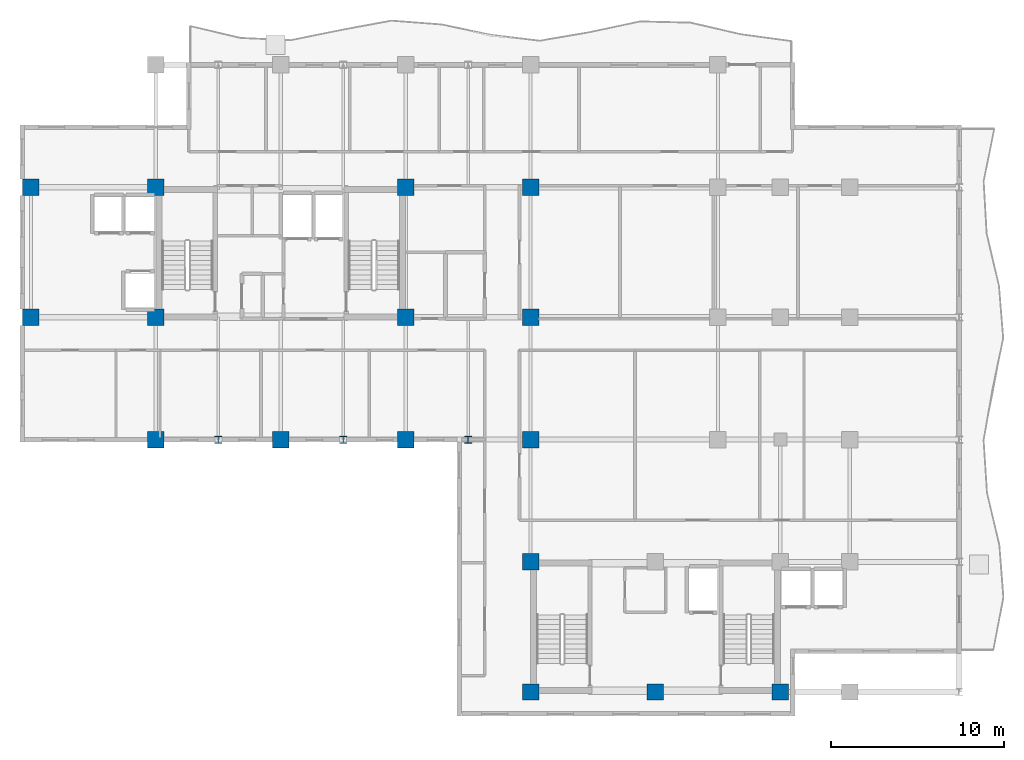
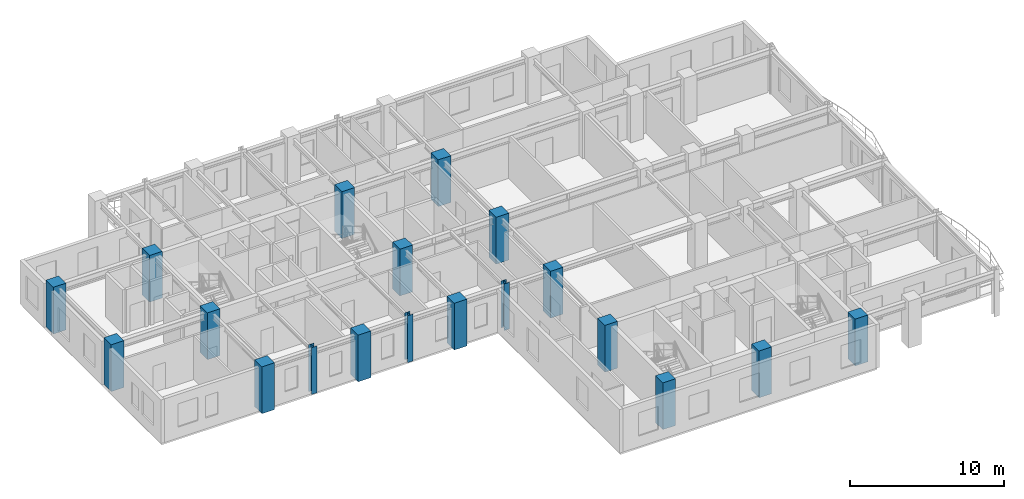
# One storey, part 1 of 13: 19 columns.
"""IFC4 building model written with IfcOpenShell, lengths in metres."""

from ifc_helpers import new_model, si_unit, direction, frame, origin, origin_2d, place, context, subcontext, project, spatial, rectangle, i_section, extrude, source, transform, mapped, material, material_profile, profile_set, type_object, element, save


model = new_model("IFC4")

# Units and contexts
model_context = context("Model", 3, precision=1e-05, world=origin(), true_north=direction((0.0, 1.0)))
body_context = subcontext(model_context, "Body", "Model", "MODEL_VIEW")
ifc_project = project(units=[si_unit("LENGTHUNIT", "METRE"), si_unit("AREAUNIT", "SQUARE_METRE"), si_unit("VOLUMEUNIT", "CUBIC_METRE"), si_unit("PLANEANGLEUNIT", "RADIAN"), si_unit("MASSUNIT", "GRAM", prefix="KILO")], contexts=[model_context])

# Site, building, storey
site_placement = place(None, origin())
site = spatial("IfcSite", under=ifc_project, at=site_placement, CompositionType="ELEMENT")
building_placement = place(site_placement, origin())
building = spatial("IfcBuilding", under=site, at=building_placement, Name="Kaliganga Portal Commons", CompositionType="ELEMENT")
storey_placement = place(building_placement, frame((0.0, 0.0, 224.0)))
storey = spatial("IfcBuildingStorey", under=building, at=storey_placement, Name="L57", CompositionType="ELEMENT", Elevation=224.0)

# Columns
ifc_material_1 = material(Name="Concrete C50/60", Category="concrete")
ifc_material_profile_1 = material_profile(ifc_material_1, rectangle(XDim=0.949951171875, YDim=0.949951171875, at=origin_2d()), Name="RC 950x950")
ifc_profile_set_1 = profile_set([ifc_material_profile_1], Name="Concrete C50/60")
column_type_1 = type_object("IfcColumnType", Name="COL-MEGA-Z4", PredefinedType="COLUMN", material=ifc_profile_set_1)
shared_shape_1 = source(origin(), body_context, "Body", "SweptSolid", [
    extrude(rectangle(XDim=0.949951171875, YDim=0.949951171875, at=origin_2d()), origin(), (0.0, 0.0, 1.0), 3.699951171875),
])
for number, where, z_axis, x_axis, name in (
    (1, (7.199951171875, 28.64990234375, 0.0), (0.0, 0.0, 1.0), (1.0, 0.0, 0.0), "Column MC-05 L57"),
    (2, (7.199951171875, 36.14990234375, 0.0), (0.0, 0.0, 1.0), (1.0, 0.0, 0.0), "Column MC-05 L57"),
    (3, (14.39990234375, 21.60009765625, 0.0), (0.0, 0.0, 1.0), (1.0, 0.0, 0.0), "Column MC-05 L57"),
    (4, (14.39990234375, 28.64990234375, 0.0), (0.0, 0.0, 1.0), (1.0, 0.0, 0.0), "Column MC-05 L57"),
    (5, (14.39990234375, 36.14990234375, 0.0), (0.0, 0.0, 1.0), (1.0, 0.0, 0.0), "Column MC-05 L57"),
    (6, (21.60009765625, 21.60009765625, 0.0), (0.0, 0.0, 1.0), (1.0, 0.0, 0.0), "Column MC-05 L57"),
    (7, (28.800048828125, 21.60009765625, 0.0), (0.0, 0.0, 1.0), (1.0, 0.0, 0.0), "Column MC-05 L57"),
    (8, (28.800048828125, 28.64990234375, 0.0), (0.0, 0.0, 1.0), (1.0, 0.0, 0.0), "Column MC-05 L57"),
    (9, (28.800048828125, 36.14990234375, 0.0), (0.0, 0.0, 1.0), (1.0, 0.0, 0.0), "Column MC-05 L57"),
    (10, (36.0, 21.60009765625, 0.0), (0.0, 0.0, 1.0), (1.0, 0.0, 0.0), "Column MC-05 L57"),
    (11, (36.0, 28.64990234375, 0.0), (0.0, 0.0, 1.0), (1.0, 0.0, 0.0), "Column MC-05 L57"),
    (12, (36.0, 36.14990234375, 0.0), (0.0, 0.0, 1.0), (1.0, 0.0, 0.0), "Column MC-05 L57"),
    (13, (36.0, 7.050048828125, 0.0), (0.0, 0.0, 1.0), (1.0, 0.0, 0.0), "Column MC-05 L57"),
    (14, (36.0, 14.550048828125, 0.0), (0.0, 0.0, 1.0), (1.0, 0.0, 0.0), "Column MC-05 L57"),
    (15, (43.199951171875, 7.050048828125, 0.0), (0.0, 0.0, 1.0), (1.0, 0.0, 0.0), "Column MC-05 L57"),
    (16, (50.39990234375, 7.050048828125, 0.0), (0.0, 0.0, 1.0), (1.0, 0.0, 0.0), "Column MC-05 L57"),
):
    element("IfcColumn", number, at=place(storey_placement, frame(where, z_axis=z_axis, x_axis=x_axis)), inside=storey, type_object=column_type_1, Name=name, PredefinedType="COLUMN", context=body_context, shape_type="MappedRepresentation", body=[
        mapped(shared_shape_1, transform((0.0, 0.0, 0.0), x_axis=(1.0, 0.0, 0.0), y_axis=(0.0, 1.0, 0.0), z_axis=(0.0, 0.0, 1.0), scale=1.0)),
    ])
ifc_material_2 = material(Name="Structural steel S355J2", Category="steel")
ifc_material_profile_2 = material_profile(ifc_material_2, i_section(OverallWidth=0.39892578125, OverallDepth=0.39990234375, WebThickness=0.017333984375, FlangeThickness=0.0234375, FilletRadius=0.014892578125, at=origin_2d()), Name="HD 400x287")
ifc_profile_set_2 = profile_set([ifc_material_profile_2], Name="Structural steel S355J2 wide-flange")
column_type_2 = type_object("IfcColumnType", Name="COL-TUBE-B4", PredefinedType="COLUMN", material=ifc_profile_set_2)
shared_shape_2 = source(origin(), body_context, "Body", "SweptSolid", [
    extrude(i_section(OverallWidth=0.39892578125, OverallDepth=0.39990234375, WebThickness=0.017333984375, FlangeThickness=0.0234375, FilletRadius=0.014892578125, at=origin_2d()), origin(), (0.0, 0.0, 1.0), 3.699951171875),
])
for number, where, z_axis, x_axis, name in (
    (17, (18.0, 21.60009765625, 0.0), (0.0, 0.0, 1.0), (1.0, 0.0, 0.0), "Column TC-04 L57"),
    (18, (25.199951171875, 21.60009765625, 0.0), (0.0, 0.0, 1.0), (1.0, 0.0, 0.0), "Column TC-04 L57"),
    (19, (32.39990234375, 21.60009765625, 0.0), (0.0, 0.0, 1.0), (1.0, 0.0, 0.0), "Column TC-04 L57"),
):
    element("IfcColumn", number, at=place(storey_placement, frame(where, z_axis=z_axis, x_axis=x_axis)), inside=storey, type_object=column_type_2, Name=name, PredefinedType="COLUMN", context=body_context, shape_type="MappedRepresentation", body=[
        mapped(shared_shape_2, transform((0.0, 0.0, 0.0), x_axis=(1.0, 0.0, 0.0), y_axis=(0.0, 1.0, 0.0), z_axis=(0.0, 0.0, 1.0), scale=1.0)),
    ])

save(model, "model.ifc")
